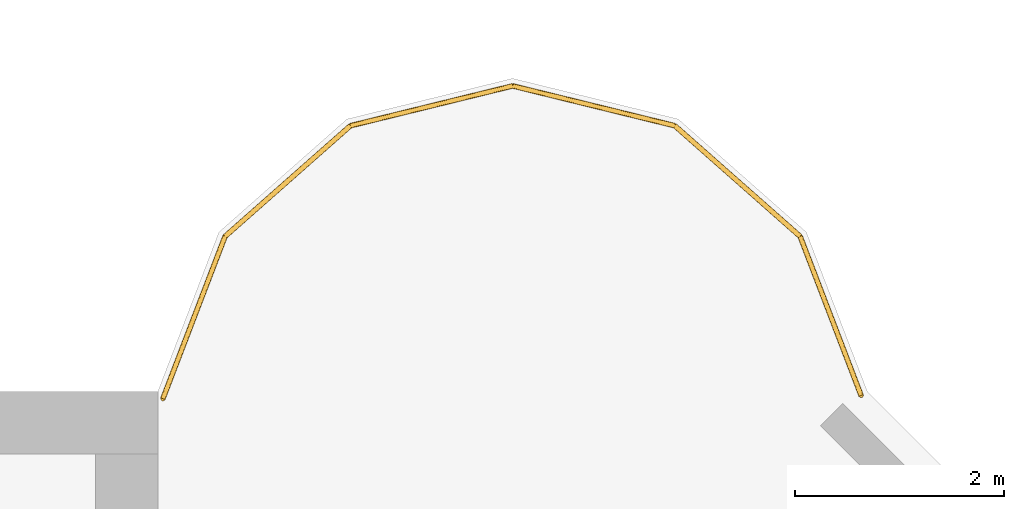
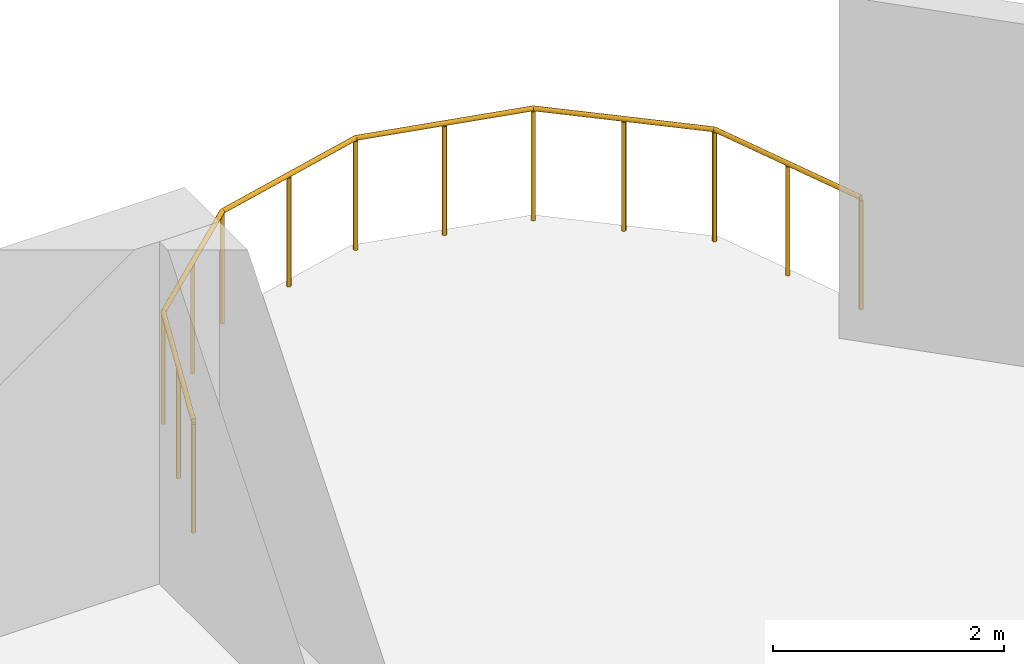
# One storey, part 11 of 12: 1 railing.
"""IFC4 building model written with IfcOpenShell, lengths in metres."""

from ifc_helpers import new_model, si_unit, direction, frame, origin, origin_2d, place, context, subcontext, project, spatial, circle, extrude, source, transform, mapped, material, type_object, element, save


model = new_model("IFC4")

# Units and contexts
model_context = context("Model", 3, precision=1e-05, world=origin(), true_north=direction((0.0, 1.0)))
body_context = subcontext(model_context, "Body", "Model", "MODEL_VIEW")
ifc_project = project(units=[si_unit("LENGTHUNIT", "METRE"), si_unit("AREAUNIT", "SQUARE_METRE"), si_unit("VOLUMEUNIT", "CUBIC_METRE"), si_unit("PLANEANGLEUNIT", "RADIAN"), si_unit("MASSUNIT", "GRAM", prefix="KILO")], contexts=[model_context])

# Site, building, storey
site_placement = place(None, origin())
site = spatial("IfcSite", under=ifc_project, at=site_placement, CompositionType="ELEMENT")
building_placement = place(site_placement, origin())
building = spatial("IfcBuilding", under=site, at=building_placement, Name="Vanashikhar Sky Hotel", CompositionType="ELEMENT")
storey_placement = place(building_placement, frame((0.0, 0.0, 221.800048828125)))
storey = spatial("IfcBuildingStorey", under=building, at=storey_placement, Name="L53", CompositionType="ELEMENT", Elevation=221.800048828125)

# Railing
ifc_material = material(Name="Stainless steel 316", Category="steel")
railing_type = type_object("IfcRailingType", Name="Refuge terrace guard 1200", PredefinedType="GUARDRAIL", material=ifc_material)
shared_shape = source(origin(), body_context, "Body", "SweptSolid", [
    extrude(circle(Radius=0.02392578125, at=origin_2d()), frame((0.0, 0.0, 1.17578125), z_axis=(-0.357766549327, 0.933811060216, 0.0), x_axis=(-0.933811060216, -0.357766549327, 0.0)), (0.0, 0.0, 1.0), 1.633056640625),
    extrude(circle(Radius=0.02392578125, at=origin_2d()), frame((-0.584228515625, 1.52490234375, 1.17578125), z_axis=(-0.749699987355, 0.661777854692, 0.0), x_axis=(-0.661777854692, -0.749699987355, 0.0)), (0.0, 0.0, 1.0), 1.602294921875),
    extrude(circle(Radius=0.02392578125, at=origin_2d()), frame((-1.785400390625, 2.585205078125, 1.17578125), z_axis=(-0.971138901218, 0.238514642196, 0.0), x_axis=(-0.238514642196, -0.971138901218, 0.0)), (0.0, 0.0, 1.0), 1.600830078125),
    extrude(circle(Radius=0.02392578125, at=origin_2d()), frame((-3.340087890625, 2.967041015625, 1.17578125), z_axis=(-0.971138901218, -0.238514642196, 0.0), x_axis=(0.238514642196, -0.971138901218, 0.0)), (0.0, 0.0, 1.0), 1.600830078125),
    extrude(circle(Radius=0.02392578125, at=origin_2d()), frame((-4.894775390625, 2.585205078125, 1.17578125), z_axis=(-0.749699987355, -0.661777854692, 0.0), x_axis=(0.661777854692, -0.749699987355, 0.0)), (0.0, 0.0, 1.0), 1.602294921875),
    extrude(circle(Radius=0.02392578125, at=origin_2d()), frame((-6.095947265625, 1.52490234375, 1.17578125), z_axis=(-0.357682612009, -0.933843214392, 0.0), x_axis=(0.933843214392, -0.357682612009, 0.0)), (0.0, 0.0, 1.0), 1.666015625),
    extrude(circle(Radius=0.02099609375, at=origin_2d()), origin(), (0.0, 0.0, 1.0), 1.15185546875),
    extrude(circle(Radius=0.02099609375, at=origin_2d()), frame((-0.2919921875, 0.762451171875, 0.0)), (0.0, 0.0, 1.0), 1.15185546875),
    extrude(circle(Radius=0.02099609375, at=origin_2d()), frame((-0.584228515625, 1.52490234375, 0.0)), (0.0, 0.0, 1.0), 1.15185546875),
    extrude(circle(Radius=0.02099609375, at=origin_2d()), frame((-1.184814453125, 2.05517578125, 0.0)), (0.0, 0.0, 1.0), 1.15185546875),
    extrude(circle(Radius=0.02099609375, at=origin_2d()), frame((-1.785400390625, 2.585205078125, 0.0)), (0.0, 0.0, 1.0), 1.15185546875),
    extrude(circle(Radius=0.02099609375, at=origin_2d()), frame((-2.562744140625, 2.776123046875, 0.0)), (0.0, 0.0, 1.0), 1.15185546875),
    extrude(circle(Radius=0.02099609375, at=origin_2d()), frame((-3.340087890625, 2.967041015625, 0.0)), (0.0, 0.0, 1.0), 1.15185546875),
    extrude(circle(Radius=0.02099609375, at=origin_2d()), frame((-4.117431640625, 2.776123046875, 0.0)), (0.0, 0.0, 1.0), 1.15185546875),
    extrude(circle(Radius=0.02099609375, at=origin_2d()), frame((-4.894775390625, 2.585205078125, 0.0)), (0.0, 0.0, 1.0), 1.15185546875),
    extrude(circle(Radius=0.02099609375, at=origin_2d()), frame((-5.495361328125, 2.05517578125, 0.0)), (0.0, 0.0, 1.0), 1.15185546875),
    extrude(circle(Radius=0.02099609375, at=origin_2d()), frame((-6.095947265625, 1.52490234375, 0.0)), (0.0, 0.0, 1.0), 1.15185546875),
    extrude(circle(Radius=0.02099609375, at=origin_2d()), frame((-6.39404296875, 0.7470703125, 0.0)), (0.0, 0.0, 1.0), 1.15185546875),
    extrude(circle(Radius=0.02099609375, at=origin_2d()), frame((-6.69189453125, -0.031005859375, 0.0)), (0.0, 0.0, 1.0), 1.15185546875),
])
railing_placement = place(storey_placement, frame((82.340087890625, 41.9609375, 0.0)))
element("IfcRailing", 1, at=railing_placement, inside=storey, type_object=railing_type, Name="Refuge terrace guard", PredefinedType="GUARDRAIL", context=body_context, shape_type="MappedRepresentation", body=[
    mapped(shared_shape, transform((0.0, 0.0, 0.0), scale=1.0)),
])

save(model, "model.ifc")
